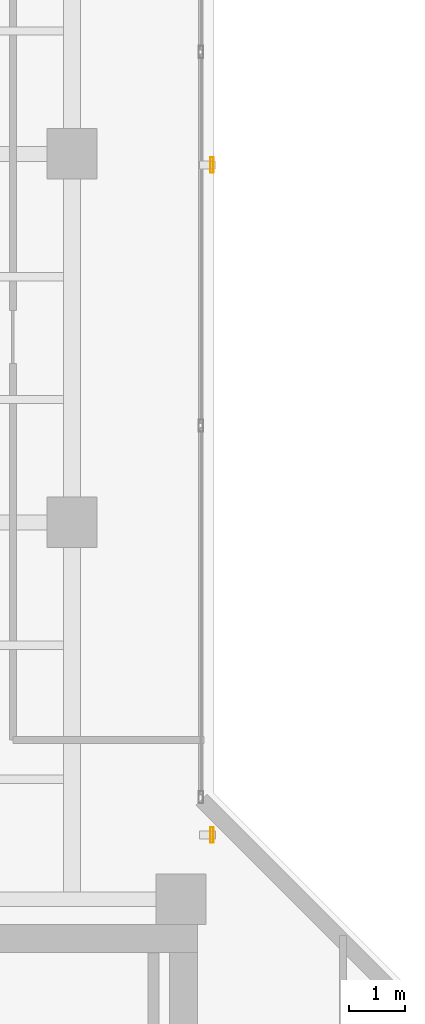
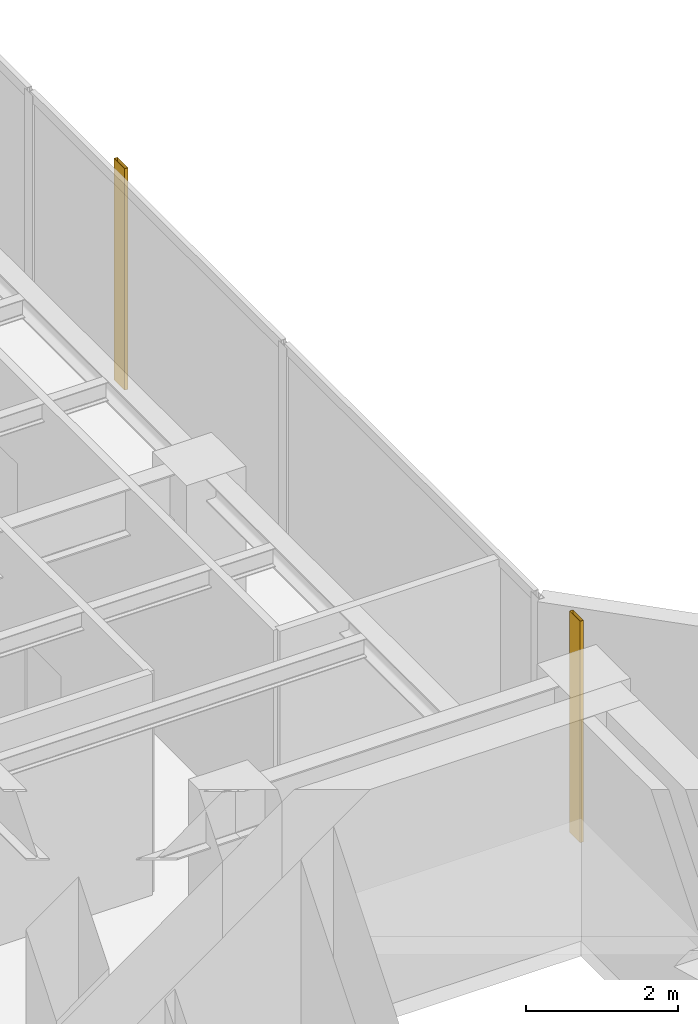
# One storey, part 22 of 22: 2 shading devices.
"""IFC4 building model written with IfcOpenShell, lengths in metres."""

from ifc_helpers import new_model, si_unit, direction, frame, origin, origin_2d, place, context, subcontext, project, spatial, hollow_rectangle, extrude, material, material_profile, profile_set, type_object, element, save


model = new_model("IFC4")

# Units and contexts
model_context = context("Model", 3, precision=1e-05, world=origin(), true_north=direction((0.0, 1.0)))
body_context = subcontext(model_context, "Body", "Model", "MODEL_VIEW")
ifc_project = project(units=[si_unit("LENGTHUNIT", "METRE"), si_unit("AREAUNIT", "SQUARE_METRE"), si_unit("VOLUMEUNIT", "CUBIC_METRE"), si_unit("PLANEANGLEUNIT", "RADIAN"), si_unit("MASSUNIT", "GRAM", prefix="KILO")], contexts=[model_context])

# Site, building, storey
site_placement = place(None, origin())
site = spatial("IfcSite", under=ifc_project, at=site_placement, CompositionType="ELEMENT")
building_placement = place(site_placement, origin())
building = spatial("IfcBuilding", under=site, at=building_placement, Name="Kolvaren Waterfront Exchange", CompositionType="ELEMENT")
storey_placement = place(building_placement, frame((0.0, 0.0, 281.800048828125)))
storey = spatial("IfcBuildingStorey", under=building, at=storey_placement, Name="L72", CompositionType="ELEMENT", Elevation=281.800048828125)

# Shading devices
ifc_material = material(Name="Anodised bronze aluminium 6063-T6", Category="aluminium")
ifc_material_profile = material_profile(ifc_material, hollow_rectangle(XDim=0.054931640625, YDim=0.280029296875, WallThickness=0.00439453125, at=origin_2d()), Name="BRZ-FIN-280x55x4.5")
ifc_profile_set = profile_set([ifc_material_profile], Name="Anodised bronze aluminium 6063-T6")
shading_device_type = type_object("IfcShadingDeviceType", Name="ARC-FIN-280", PredefinedType="USERDEFINED", material=ifc_profile_set)
for number, where, z_axis, x_axis, name in (
    (1, (21.307373046875, 25.60009765625, 0.0), (0.0, 0.0, 1.0), (1.0, 0.0, 0.0), "L72 anodised bronze solar shading fin FIN-L72-E2"),
    (2, (21.307373046875, 37.60009765625, 0.0), (0.0, 0.0, 1.0), (1.0, 0.0, 0.0), "L72 anodised bronze solar shading fin FIN-L72-E3"),
):
    element("IfcShadingDevice", number, at=place(storey_placement, frame(where, z_axis=z_axis, x_axis=x_axis)), inside=storey, type_object=shading_device_type, Name=name, ObjectType="SOLAR FIN", PredefinedType="USERDEFINED", context=body_context, shape_type="SweptSolid", body=[
        extrude(hollow_rectangle(XDim=0.054931640625, YDim=0.280029296875, WallThickness=0.00439453125, at=origin_2d()), origin(), (0.0, 0.0, 1.0), 3.56005859375),
    ])

save(model, "model.ifc")
